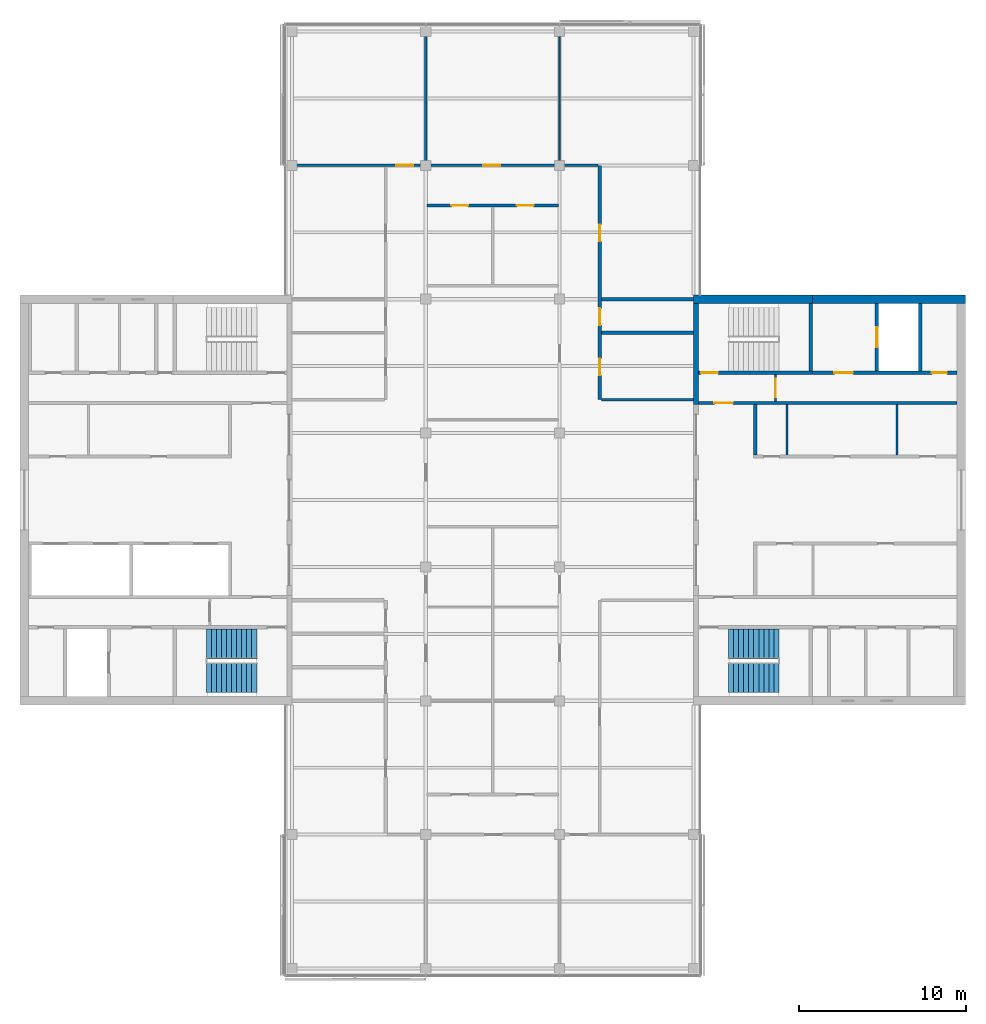
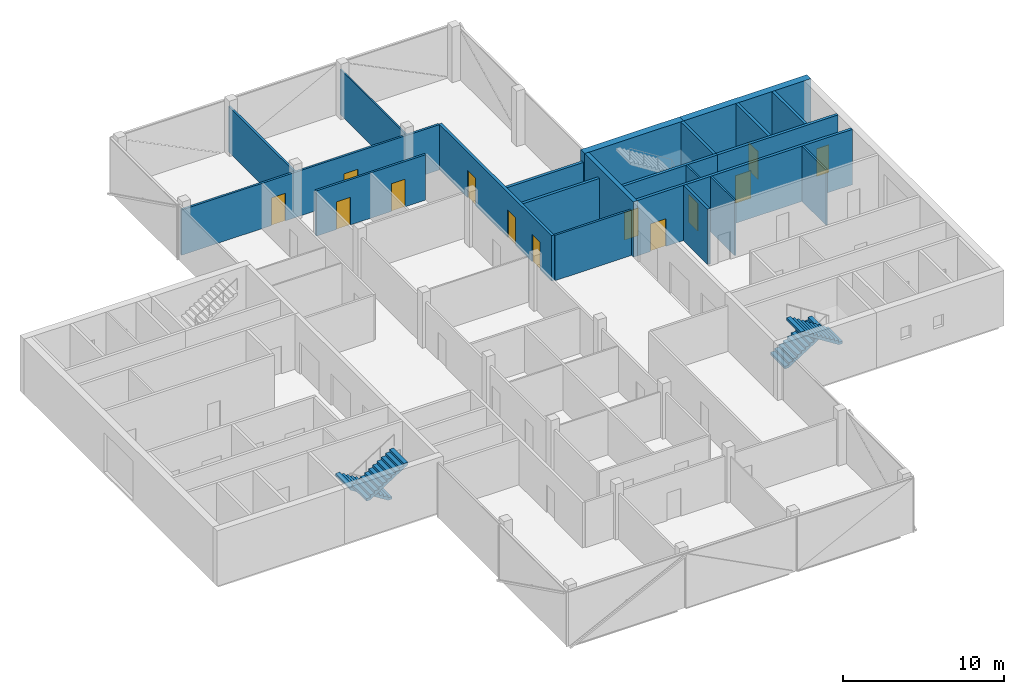
# One storey, part 12 of 16: 21 walls, 13 doors, 4 stair flights, 13 openings, 2 elements without a shape of their own.
"""IFC4 building model written with IfcOpenShell, lengths in metres."""

from ifc_helpers import new_model, si_unit, direction, frame, frame_2d, origin, place, context, subcontext, project, spatial, polyline, rectangle, outline, extrude, material, layer, layer_set, constituent, constituent_set, type_object, element, fill, aggregate, save


model = new_model("IFC4")

# Units and contexts
model_context = context("Model", 3, precision=1e-05, world=origin(), true_north=direction((0.0, 1.0)))
body_context = subcontext(model_context, "Body", "Model", "MODEL_VIEW")
ifc_project = project(units=[si_unit("LENGTHUNIT", "METRE"), si_unit("AREAUNIT", "SQUARE_METRE"), si_unit("VOLUMEUNIT", "CUBIC_METRE"), si_unit("PLANEANGLEUNIT", "RADIAN"), si_unit("MASSUNIT", "GRAM", prefix="KILO")], contexts=[model_context])

# Site, building, storey
site_placement = place(None, origin())
site = spatial("IfcSite", under=ifc_project, at=site_placement, CompositionType="ELEMENT")
building_placement = place(site_placement, origin())
building = spatial("IfcBuilding", under=site, at=building_placement, Name="Crosswind Convention Tower", CompositionType="ELEMENT")
storey_placement = place(building_placement, frame((0.0, 0.0, 340.699951171875)))
storey = spatial("IfcBuildingStorey", under=building, at=storey_placement, Name="L74", CompositionType="ELEMENT", Elevation=340.699951171875)

# Wall, openings, doors
ifc_material_1 = material(Name="Concrete blockwork", Category="masonry")
ifc_layer_1 = layer(ifc_material_1, 0.199951171875)
ifc_layer_set_1 = layer_set([ifc_layer_1], Name="COMPARTMENT WALL 200 BLOCKWORK")
wall_type_1 = type_object("IfcWallType", Name="COMPARTMENT WALL 200 BLOCKWORK", PredefinedType="SOLIDWALL", material=ifc_layer_set_1)
wall_1_placement = place(storey_placement, frame((131.39990234375, 106.0, 0.0), z_axis=(0.0, 0.0, 1.0), x_axis=(0.0, 1.0, 0.0)))
wall_1 = element("IfcWall", 1, at=wall_1_placement, inside=storey, type_object=wall_type_1, Name="Compartment wall WT42", PredefinedType="SOLIDWALL", context=body_context, shape_type="SweptSolid", body=[
    extrude(rectangle(XDim=14.0, YDim=0.199951171875, at=frame_2d((7.0, 0.0))), origin(), (0.0, 0.0, 1.0), 3.44287109375),
])
opening_1_placement = place(wall_1_placement, frame((1.449951171875, 0.0, 0.0)))
opening_1 = element("IfcOpeningElement", 2, at=opening_1_placement, cuts=wall_1, Name="Opening L74-50", PredefinedType="OPENING", context=body_context, shape_type="SweptSolid", body=[
    extrude(rectangle(XDim=1.0, YDim=2.10009765625, at=frame_2d((0.5, 1.050048828125))), frame((0.0, 0.10986328125, 0.0), z_axis=(0.0, -1.0, 0.0), x_axis=(1.0, 0.0, 0.0)), (0.0, 0.0, 1.0), 0.219970703125),
])
opening_2_placement = place(wall_1_placement, frame((4.449951171875, 0.0, 0.0)))
opening_2 = element("IfcOpeningElement", 3, at=opening_2_placement, cuts=wall_1, Name="Opening L74-51", PredefinedType="OPENING", context=body_context, shape_type="SweptSolid", body=[
    extrude(rectangle(XDim=1.0, YDim=2.10009765625, at=frame_2d((0.5, 1.050048828125))), frame((0.0, 0.10986328125, 0.0), z_axis=(0.0, -1.0, 0.0), x_axis=(1.0, 0.0, 0.0)), (0.0, 0.0, 1.0), 0.219970703125),
])
opening_3_placement = place(wall_1_placement, frame((9.449951171875, 0.0, 0.0)))
opening_3 = element("IfcOpeningElement", 4, at=opening_3_placement, cuts=wall_1, Name="Opening L74-52", PredefinedType="OPENING", context=body_context, shape_type="SweptSolid", body=[
    extrude(rectangle(XDim=1.0, YDim=2.10009765625, at=frame_2d((0.5, 1.050048828125))), frame((0.0, 0.10986328125, 0.0), z_axis=(0.0, -1.0, 0.0), x_axis=(1.0, 0.0, 0.0)), (0.0, 0.0, 1.0), 0.219970703125),
])
ifc_material_2 = material(Name="Steel fire door", Category="steel")
door_type_1 = type_object("IfcDoorType", Name="PLANT ROOM DOOR 1000X2100 FD60", OperationType="NOTDEFINED", PredefinedType="DOOR", material=ifc_material_2)
door_1_placement = place(opening_2_placement, frame((1.0, 0.0, 0.0), z_axis=(0.0, 0.0, 1.0), x_axis=(-1.0, 0.0, 0.0)))
door_1 = element("IfcDoor", 5, at=door_1_placement, inside=storey, type_object=door_type_1, Name="Door L74-51", ObjectType="D43", OperationType="SINGLE_SWING_RIGHT", OverallHeight=2.10009765625, OverallWidth=1.0, PredefinedType="DOOR", context=body_context, shape_type="SweptSolid", body=[
    extrude(rectangle(XDim=1.0, YDim=2.10009765625, at=frame_2d((0.5, 1.050048828125))), frame((0.0, 0.02490234375, 0.0), z_axis=(0.0, -1.0, 0.0), x_axis=(1.0, 0.0, 0.0)), (0.0, 0.0, 1.0), 0.050048828125),
])
fill(opening_2, door_1)
ifc_material_3 = material(Name="Timber fire door", Category="wood")
door_type_2 = type_object("IfcDoorType", Name="TENANCY ENTRANCE DOOR 1000X2100 FD30S", OperationType="NOTDEFINED", PredefinedType="DOOR", material=ifc_material_3)
door_2_placement = place(opening_1_placement, frame((1.0, 0.0, 0.0), z_axis=(0.0, 0.0, 1.0), x_axis=(-1.0, 0.0, 0.0)))
door_2 = element("IfcDoor", 6, at=door_2_placement, inside=storey, type_object=door_type_2, Name="Door L74-50", ObjectType="D41", OperationType="SINGLE_SWING_RIGHT", OverallHeight=2.10009765625, OverallWidth=1.0, PredefinedType="DOOR", context=body_context, shape_type="SweptSolid", body=[
    extrude(rectangle(XDim=1.0, YDim=2.10009765625, at=frame_2d((0.5, 1.050048828125))), frame((0.0, 0.02490234375, 0.0), z_axis=(0.0, -1.0, 0.0), x_axis=(1.0, 0.0, 0.0)), (0.0, 0.0, 1.0), 0.050048828125),
])
fill(opening_1, door_2)
door_3_placement = place(opening_3_placement, frame((1.0, 0.0, 0.0), z_axis=(0.0, 0.0, 1.0), x_axis=(-1.0, 0.0, 0.0)))
door_3 = element("IfcDoor", 7, at=door_3_placement, inside=storey, type_object=door_type_2, Name="Door L74-52", ObjectType="D41", OperationType="SINGLE_SWING_RIGHT", OverallHeight=2.10009765625, OverallWidth=1.0, PredefinedType="DOOR", context=body_context, shape_type="SweptSolid", body=[
    extrude(rectangle(XDim=1.0, YDim=2.10009765625, at=frame_2d((0.5, 1.050048828125))), frame((0.0, 0.02490234375, 0.0), z_axis=(0.0, -1.0, 0.0), x_axis=(1.0, 0.0, 0.0)), (0.0, 0.0, 1.0), 0.050048828125),
])
fill(opening_3, door_3)

# Walls
for number, where, z_axis, x_axis, name in (
    (8, (131.5, 110.0, 0.0), (0.0, 0.0, 1.0), (1.0, 0.0, 0.0), "Compartment wall WT42"),
    (9, (131.5, 112.0, 0.0), (0.0, 0.0, 1.0), (1.0, 0.0, 0.0), "Compartment wall WT42"),
):
    element("IfcWall", number, at=place(storey_placement, frame(where, z_axis=z_axis, x_axis=x_axis)), inside=storey, type_object=wall_type_1, Name=name, PredefinedType="SOLIDWALL", context=body_context, shape_type="SweptSolid", body=[
        extrude(rectangle(XDim=5.5, YDim=0.199951171875, at=frame_2d((2.75, 0.0))), origin(), (0.0, 0.0, 1.0), 3.44287109375),
    ])
ifc_material_4 = material(Name="Concrete C50/60", Category="concrete")
ifc_layer_2 = layer(ifc_material_4, 0.300048828125)
ifc_layer_set_2 = layer_set([ifc_layer_2], Name="Concrete C50/60")
wall_type_2 = type_object("IfcWallType", Name="Concrete inner core wall 300", PredefinedType="SHEAR", material=ifc_layer_set_2)
wall_2_placement = place(storey_placement, frame((137.14990234375, 105.699951171875, 0.0), z_axis=(0.0, 0.0, 1.0), x_axis=(0.0, 1.0, 0.0)))
element("IfcWall", 10, at=wall_2_placement, inside=storey, type_object=wall_type_2, Name="Wall EP E L74", PredefinedType="SHEAR", context=body_context, shape_type="SweptSolid", body=[
    extrude(rectangle(XDim=6.050048828125, YDim=0.300048828125, at=frame_2d((3.02490234375, 0.0))), origin(), (0.0, 0.0, 1.0), 4.199951171875),
])
ifc_layer_3 = layer(ifc_material_4, 0.199951171875)
ifc_layer_set_3 = layer_set([ifc_layer_3], Name="Concrete C50/60")
wall_type_3 = type_object("IfcWallType", Name="Concrete shaft and stair wall 200", PredefinedType="SHEAR", material=ifc_layer_set_3)
wall_3_placement = place(storey_placement, frame((140.699951171875, 102.699951171875, 0.0), z_axis=(0.0, 0.0, 1.0), x_axis=(0.0, 1.0, 0.0)))
element("IfcWall", 11, at=wall_3_placement, inside=storey, type_object=wall_type_3, Name="Wall RPEND E L74", PredefinedType="SHEAR", context=body_context, shape_type="SweptSolid", body=[
    extrude(rectangle(XDim=3.0, YDim=0.199951171875, at=frame_2d((1.5, 0.0))), origin(), (0.0, 0.0, 1.0), 4.199951171875),
])

# Wall, opening, door
wall_4_placement = place(storey_placement, frame((137.300048828125, 105.800048828125, 0.0), z_axis=(0.0, 0.0, 1.0), x_axis=(1.0, 0.0, 0.0)))
wall_4 = element("IfcWall", 12, at=wall_4_placement, inside=storey, type_object=wall_type_3, Name="Wall HP E L74", PredefinedType="SHEAR", context=body_context, shape_type="SweptSolid", body=[
    extrude(rectangle(XDim=15.449951171875, YDim=0.199951171875, at=frame_2d((7.72509765625, 0.0))), origin(), (0.0, 0.0, 1.0), 4.199951171875),
])
opening_4_placement = place(wall_4_placement, frame((0.949951171875, 0.0, 0.0)))
opening_4 = element("IfcOpeningElement", 13, at=opening_4_placement, cuts=wall_4, Name="Opening D104", PredefinedType="OPENING", context=body_context, shape_type="SweptSolid", body=[
    extrude(rectangle(XDim=1.10009765625, YDim=2.10009765625, at=frame_2d((0.550048828125, 1.050048828125))), frame((0.0, 0.10986328125, 0.0), z_axis=(0.0, -1.0, 0.0), x_axis=(1.0, 0.0, 0.0)), (0.0, 0.0, 1.0), 0.219970703125),
])
door_type_3 = type_object("IfcDoorType", Name="Fire-rated single door 1100x2100", OperationType="NOTDEFINED", PredefinedType="DOOR", material=ifc_material_2)
door_4_placement = place(opening_4_placement, origin())
door_4 = element("IfcDoor", 14, at=door_4_placement, inside=storey, type_object=door_type_3, Name="Corridor door L74", ObjectType="D104", OperationType="SINGLE_SWING_LEFT", OverallHeight=2.10009765625, OverallWidth=1.10009765625, PredefinedType="DOOR", context=body_context, shape_type="SweptSolid", body=[
    extrude(rectangle(XDim=1.10009765625, YDim=2.10009765625, at=frame_2d((0.550048828125, 1.050048828125))), frame((0.0, 0.02490234375, 0.0), z_axis=(0.0, -1.0, 0.0), x_axis=(1.0, 0.0, 0.0)), (0.0, 0.0, 1.0), 0.050048828125),
])
fill(opening_4, door_4)

# Wall
wall_5_placement = place(storey_placement, frame((144.0, 107.699951171875, 0.0), z_axis=(0.0, 0.0, 1.0), x_axis=(0.0, 1.0, 0.0)))
element("IfcWall", 15, at=wall_5_placement, inside=storey, type_object=wall_type_3, Name="Wall PSE E L74", PredefinedType="SHEAR", context=body_context, shape_type="SweptSolid", body=[
    extrude(rectangle(XDim=4.050048828125, YDim=0.199951171875, at=frame_2d((2.02490234375, 0.0))), origin(), (0.0, 0.0, 1.0), 4.199951171875),
])

# Wall, opening, door
wall_6_placement = place(storey_placement, frame((147.949951171875, 107.699951171875, 0.0), z_axis=(0.0, 0.0, 1.0), x_axis=(0.0, 1.0, 0.0)))
wall_6 = element("IfcWall", 16, at=wall_6_placement, inside=storey, type_object=wall_type_3, Name="Wall PFLW E L74", PredefinedType="SHEAR", context=body_context, shape_type="SweptSolid", body=[
    extrude(rectangle(XDim=4.050048828125, YDim=0.199951171875, at=frame_2d((2.02490234375, 0.0))), origin(), (0.0, 0.0, 1.0), 4.199951171875),
])
opening_5_placement = place(wall_6_placement, frame((1.425048828125, 0.0, 0.0)))
opening_5 = element("IfcOpeningElement", 17, at=opening_5_placement, cuts=wall_6, Name="Opening LD1", PredefinedType="OPENING", context=body_context, shape_type="SweptSolid", body=[
    extrude(rectangle(XDim=1.199951171875, YDim=2.10009765625, at=frame_2d((0.60009765625, 1.050048828125))), frame((0.0, 0.10986328125, 0.0), z_axis=(0.0, -1.0, 0.0), x_axis=(1.0, 0.0, 0.0)), (0.0, 0.0, 1.0), 0.219970703125),
])
ifc_material_5 = material(Name="Stainless steel", Category="steel")
door_type_4 = type_object("IfcDoorType", Name="Lift landing door 1200x2100", OperationType="DOUBLE_DOOR_SLIDING", PredefinedType="DOOR", material=ifc_material_5)
door_5_placement = place(opening_5_placement, origin())
door_5 = element("IfcDoor", 18, at=door_5_placement, inside=storey, type_object=door_type_4, Name="Landing door FF1 L74", ObjectType="LD1", OperationType="DOUBLE_DOOR_SLIDING", OverallHeight=2.10009765625, OverallWidth=1.199951171875, PredefinedType="DOOR", context=body_context, shape_type="SweptSolid", body=[
    extrude(rectangle(XDim=1.199951171875, YDim=2.10009765625, at=frame_2d((0.60009765625, 1.050048828125))), frame((0.0, 0.02490234375, 0.0), z_axis=(0.0, -1.0, 0.0), x_axis=(1.0, 0.0, 0.0)), (0.0, 0.0, 1.0), 0.050048828125),
])
fill(opening_5, door_5)

# Wall
wall_7_placement = place(storey_placement, frame((150.550048828125, 107.699951171875, 0.0), z_axis=(0.0, 0.0, 1.0), x_axis=(0.0, 1.0, 0.0)))
element("IfcWall", 19, at=wall_7_placement, inside=storey, type_object=wall_type_3, Name="Wall PFSE E L74", PredefinedType="SHEAR", context=body_context, shape_type="SweptSolid", body=[
    extrude(rectangle(XDim=4.050048828125, YDim=0.199951171875, at=frame_2d((2.02490234375, 0.0))), origin(), (0.0, 0.0, 1.0), 4.199951171875),
])

# Wall, opening, door
wall_8_placement = place(storey_placement, frame((137.300048828125, 107.60009765625, 0.0), z_axis=(0.0, 0.0, 1.0), x_axis=(1.0, 0.0, 0.0)))
wall_8 = element("IfcWall", 20, at=wall_8_placement, inside=storey, type_object=wall_type_3, Name="Wall PCW E L74", PredefinedType="SHEAR", context=body_context, shape_type="SweptSolid", body=[
    extrude(rectangle(XDim=6.800048828125, YDim=0.199951171875, at=frame_2d((3.39990234375, 0.0))), origin(), (0.0, 0.0, 1.0), 4.199951171875),
])
opening_6_placement = place(wall_8_placement, frame((0.14990234375, 0.0, 0.0)))
opening_6 = element("IfcOpeningElement", 21, at=opening_6_placement, cuts=wall_8, Name="Opening D103", PredefinedType="OPENING", context=body_context, shape_type="SweptSolid", body=[
    extrude(rectangle(XDim=1.0, YDim=2.10009765625, at=frame_2d((0.5, 1.050048828125))), frame((0.0, 0.10986328125, 0.0), z_axis=(0.0, -1.0, 0.0), x_axis=(1.0, 0.0, 0.0)), (0.0, 0.0, 1.0), 0.219970703125),
])
door_type_5 = type_object("IfcDoorType", Name="Fire-rated single door 1000x2100", OperationType="NOTDEFINED", PredefinedType="DOOR", material=ifc_material_2)
door_6_placement = place(opening_6_placement, origin())
door_6 = element("IfcDoor", 22, at=door_6_placement, inside=storey, type_object=door_type_5, Name="Stair ST1 door L74", ObjectType="D103", OperationType="SINGLE_SWING_LEFT", OverallHeight=2.10009765625, OverallWidth=1.0, PredefinedType="DOOR", context=body_context, shape_type="SweptSolid", body=[
    extrude(rectangle(XDim=1.0, YDim=2.10009765625, at=frame_2d((0.5, 1.050048828125))), frame((0.0, 0.02490234375, 0.0), z_axis=(0.0, -1.0, 0.0), x_axis=(1.0, 0.0, 0.0)), (0.0, 0.0, 1.0), 0.050048828125),
])
fill(opening_6, door_6)

# Wall, openings, doors
wall_9_placement = place(storey_placement, frame((144.10009765625, 107.60009765625, 0.0), z_axis=(0.0, 0.0, 1.0), x_axis=(1.0, 0.0, 0.0)))
wall_9 = element("IfcWall", 23, at=wall_9_placement, inside=storey, type_object=wall_type_3, Name="Wall PCX E L74", PredefinedType="SHEAR", context=body_context, shape_type="SweptSolid", body=[
    extrude(rectangle(XDim=8.64990234375, YDim=0.199951171875, at=frame_2d((4.324951171875, 0.0))), origin(), (0.0, 0.0, 1.0), 4.199951171875),
])
opening_7_placement = place(wall_9_placement, frame((1.324951171875, 0.0, 0.0)))
opening_7 = element("IfcOpeningElement", 24, at=opening_7_placement, cuts=wall_9, Name="Opening D104", PredefinedType="OPENING", context=body_context, shape_type="SweptSolid", body=[
    extrude(rectangle(XDim=1.10009765625, YDim=2.10009765625, at=frame_2d((0.550048828125, 1.050048828125))), frame((0.0, 0.10986328125, 0.0), z_axis=(0.0, -1.0, 0.0), x_axis=(1.0, 0.0, 0.0)), (0.0, 0.0, 1.0), 0.219970703125),
])
opening_8_placement = place(wall_9_placement, frame((7.14990234375, 0.0, 0.0)))
opening_8 = element("IfcOpeningElement", 25, at=opening_8_placement, cuts=wall_9, Name="Opening D106", PredefinedType="OPENING", context=body_context, shape_type="SweptSolid", body=[
    extrude(rectangle(XDim=0.89990234375, YDim=2.10009765625, at=frame_2d((0.449951171875, 1.050048828125))), frame((0.0, 0.10986328125, 0.0), z_axis=(0.0, -1.0, 0.0), x_axis=(1.0, 0.0, 0.0)), (0.0, 0.0, 1.0), 0.219970703125),
])
door_7_placement = place(opening_7_placement, origin())
door_7 = element("IfcDoor", 26, at=door_7_placement, inside=storey, type_object=door_type_3, Name="Fire-fighting lobby FF1 door L74", ObjectType="D104", OperationType="SINGLE_SWING_RIGHT", OverallHeight=2.10009765625, OverallWidth=1.10009765625, PredefinedType="DOOR", context=body_context, shape_type="SweptSolid", body=[
    extrude(rectangle(XDim=1.10009765625, YDim=2.10009765625, at=frame_2d((0.550048828125, 1.050048828125))), frame((0.0, 0.02490234375, 0.0), z_axis=(0.0, -1.0, 0.0), x_axis=(1.0, 0.0, 0.0)), (0.0, 0.0, 1.0), 0.050048828125),
])
fill(opening_7, door_7)
ifc_material_6 = material(Name="Timber door", Category="wood")
door_type_6 = type_object("IfcDoorType", Name="Single leaf door 900x2100", OperationType="NOTDEFINED", PredefinedType="DOOR", material=ifc_material_6)
door_8_placement = place(opening_8_placement, origin())
door_8 = element("IfcDoor", 27, at=door_8_placement, inside=storey, type_object=door_type_6, Name="Door to cleaners' store L74", ObjectType="D106", OperationType="SINGLE_SWING_RIGHT", OverallHeight=2.10009765625, OverallWidth=0.89990234375, PredefinedType="DOOR", context=body_context, shape_type="SweptSolid", body=[
    extrude(rectangle(XDim=0.89990234375, YDim=2.10009765625, at=frame_2d((0.449951171875, 1.050048828125))), frame((0.0, 0.02490234375, 0.0), z_axis=(0.0, -1.0, 0.0), x_axis=(1.0, 0.0, 0.0)), (0.0, 0.0, 1.0), 0.050048828125),
])
fill(opening_8, door_8)

# Walls
ifc_material_7 = material(Name="Gypsum plasterboard partition", Category="gypsum")
ifc_layer_4 = layer(ifc_material_7, 0.125)
ifc_layer_set_4 = layer_set([ifc_layer_4], Name="Drywall partition wall 125")
wall_type_4 = type_object("IfcWallType", Name="Drywall partition wall 125", PredefinedType="PARTITIONING", material=ifc_layer_set_4)
for number, where, z_axis, x_axis, name in (
    (28, (142.592529296875, 102.699951171875, 0.0), (0.0, 0.0, 1.0), (0.0, 1.0, 0.0), "Wall RPP1 E L74"),
    (29, (149.1650390625, 102.699951171875, 0.0), (0.0, 0.0, 1.0), (0.0, 1.0, 0.0), "Wall RPP2 E L74"),
):
    element("IfcWall", number, at=place(storey_placement, frame(where, z_axis=z_axis, x_axis=x_axis)), inside=storey, type_object=wall_type_4, Name=name, PredefinedType="PARTITIONING", context=body_context, shape_type="SweptSolid", body=[
        extrude(rectangle(XDim=3.0, YDim=0.125, at=frame_2d((1.5, 0.0))), origin(), (0.0, 0.0, 1.0), 4.199951171875),
    ])

# Wall, opening, door
wall_10_placement = place(storey_placement, frame((141.89990234375, 105.89990234375, 0.0), z_axis=(0.0, 0.0, 1.0), x_axis=(0.0, 1.0, 0.0)))
wall_10 = element("IfcWall", 30, at=wall_10_placement, inside=storey, type_object=wall_type_4, Name="Wall PXC1 E L74", PredefinedType="PARTITIONING", context=body_context, shape_type="SweptSolid", body=[
    extrude(rectangle(XDim=1.60009765625, YDim=0.125, at=frame_2d((0.800048828125, 0.0))), origin(), (0.0, 0.0, 1.0), 4.199951171875),
])
opening_9_placement = place(wall_10_placement, frame((0.25, 0.0, 0.0)))
opening_9 = element("IfcOpeningElement", 31, at=opening_9_placement, cuts=wall_10, Name="Opening D104", PredefinedType="OPENING", context=body_context, shape_type="SweptSolid", body=[
    extrude(rectangle(XDim=1.10009765625, YDim=2.10009765625, at=frame_2d((0.550048828125, 1.050048828125))), frame((0.0, 0.072509765625, 0.0), z_axis=(0.0, -1.0, 0.0), x_axis=(1.0, 0.0, 0.0)), (0.0, 0.0, 1.0), 0.14501953125),
])
door_9_placement = place(opening_9_placement, origin())
door_9 = element("IfcDoor", 32, at=door_9_placement, inside=storey, type_object=door_type_3, Name="Corridor smoke door L74", ObjectType="D104", OperationType="SINGLE_SWING_RIGHT", OverallHeight=2.10009765625, OverallWidth=1.10009765625, PredefinedType="DOOR", context=body_context, shape_type="SweptSolid", body=[
    extrude(rectangle(XDim=1.10009765625, YDim=2.10009765625, at=frame_2d((0.550048828125, 1.050048828125))), frame((0.0, 0.02490234375, 0.0), z_axis=(0.0, -1.0, 0.0), x_axis=(1.0, 0.0, 0.0)), (0.0, 0.0, 1.0), 0.050048828125),
])
fill(opening_9, door_9)

# Walls
ifc_material_8 = material(Name="Plasterboard partition", Category="gypsum")
ifc_layer_5 = layer(ifc_material_8, 0.10009765625)
ifc_layer_set_5 = layer_set([ifc_layer_5], Name="PARTITION 100 METAL STUD")
wall_type_5 = type_object("IfcWallType", Name="PARTITION 100 METAL STUD", PredefinedType="PARTITIONING", material=ifc_layer_set_5)
wall_11_placement = place(storey_placement, frame((129.0, 120.074951171875, 0.0), z_axis=(0.0, 0.0, 1.0), x_axis=(0.0, 1.0, 0.0)))
element("IfcWall", 33, at=wall_11_placement, inside=storey, type_object=wall_type_5, Name="Partition wall WT40", PredefinedType="PARTITIONING", context=body_context, shape_type="SweptSolid", body=[
    extrude(rectangle(XDim=8.14501953125, YDim=0.10009765625, at=frame_2d((4.072509765625, 0.0))), origin(), (0.0, 0.0, 1.0), 3.44287109375),
])
ifc_material_9 = material(Name="Fire-board partition with mineral wool", Category="gypsum")
ifc_layer_6 = layer(ifc_material_9, 0.14990234375)
ifc_layer_set_6 = layer_set([ifc_layer_6], Name="TENANCY WALL 150 TWO-HOUR BOARD")
wall_type_6 = type_object("IfcWallType", Name="TENANCY WALL 150 TWO-HOUR BOARD", PredefinedType="PARTITIONING", material=ifc_layer_set_6)
wall_12_placement = place(storey_placement, frame((121.0, 120.074951171875, 0.0), z_axis=(0.0, 0.0, 1.0), x_axis=(0.0, 1.0, 0.0)))
element("IfcWall", 34, at=wall_12_placement, inside=storey, type_object=wall_type_6, Name="Tenancy wall WT41", PredefinedType="PARTITIONING", context=body_context, shape_type="SweptSolid", body=[
    extrude(rectangle(XDim=8.14501953125, YDim=0.14990234375, at=frame_2d((4.072509765625, 0.0))), origin(), (0.0, 0.0, 1.0), 3.44287109375),
])
wall_13_placement = place(storey_placement, frame((131.5, 106.0, 0.0), z_axis=(0.0, 0.0, 1.0), x_axis=(1.0, 0.0, 0.0)))
element("IfcWall", 35, at=wall_13_placement, inside=storey, type_object=wall_type_6, Name="Tenancy wall WT41", PredefinedType="PARTITIONING", context=body_context, shape_type="SweptSolid", body=[
    extrude(rectangle(XDim=5.5, YDim=0.14990234375, at=frame_2d((2.75, 0.0))), origin(), (0.0, 0.0, 1.0), 3.44287109375),
])

# Wall, openings, doors
wall_14_placement = place(storey_placement, frame((121.074951171875, 117.60009765625, 0.0), z_axis=(0.0, 0.0, 1.0), x_axis=(1.0, 0.0, 0.0)))
wall_14 = element("IfcWall", 36, at=wall_14_placement, inside=storey, type_object=wall_type_6, Name="Tenancy wall WT41", PredefinedType="PARTITIONING", context=body_context, shape_type="SweptSolid", body=[
    extrude(rectangle(XDim=7.85009765625, YDim=0.14990234375, at=frame_2d((3.925048828125, 0.0))), origin(), (0.0, 0.0, 1.0), 3.44287109375),
])
opening_10_placement = place(wall_14_placement, frame((1.449951171875, 0.0, 0.0)))
opening_10 = element("IfcOpeningElement", 37, at=opening_10_placement, cuts=wall_14, Name="Opening L74-73", PredefinedType="OPENING", context=body_context, shape_type="SweptSolid", body=[
    extrude(rectangle(XDim=1.0, YDim=2.10009765625, at=frame_2d((0.5, 1.050048828125))), frame((0.0, 0.0849609375, 0.0), z_axis=(0.0, -1.0, 0.0), x_axis=(1.0, 0.0, 0.0)), (0.0, 0.0, 1.0), 0.169921875),
])
opening_11_placement = place(wall_14_placement, frame((5.375, 0.0, 0.0)))
opening_11 = element("IfcOpeningElement", 38, at=opening_11_placement, cuts=wall_14, Name="Opening L74-74", PredefinedType="OPENING", context=body_context, shape_type="SweptSolid", body=[
    extrude(rectangle(XDim=1.0, YDim=2.10009765625, at=frame_2d((0.5, 1.050048828125))), frame((0.0, 0.0849609375, 0.0), z_axis=(0.0, -1.0, 0.0), x_axis=(1.0, 0.0, 0.0)), (0.0, 0.0, 1.0), 0.169921875),
])
door_10_placement = place(opening_10_placement, frame((1.0, 0.0, 0.0), z_axis=(0.0, 0.0, 1.0), x_axis=(-1.0, 0.0, 0.0)))
door_10 = element("IfcDoor", 39, at=door_10_placement, inside=storey, type_object=door_type_2, Name="Door L74-73", ObjectType="D41", OperationType="SINGLE_SWING_LEFT", OverallHeight=2.10009765625, OverallWidth=1.0, PredefinedType="DOOR", context=body_context, shape_type="SweptSolid", body=[
    extrude(rectangle(XDim=1.0, YDim=2.10009765625, at=frame_2d((0.5, 1.050048828125))), frame((0.0, 0.02490234375, 0.0), z_axis=(0.0, -1.0, 0.0), x_axis=(1.0, 0.0, 0.0)), (0.0, 0.0, 1.0), 0.050048828125),
])
fill(opening_10, door_10)
door_11_placement = place(opening_11_placement, frame((1.0, 0.0, 0.0), z_axis=(0.0, 0.0, 1.0), x_axis=(-1.0, 0.0, 0.0)))
door_11 = element("IfcDoor", 40, at=door_11_placement, inside=storey, type_object=door_type_2, Name="Door L74-74", ObjectType="D41", OperationType="SINGLE_SWING_RIGHT", OverallHeight=2.10009765625, OverallWidth=1.0, PredefinedType="DOOR", context=body_context, shape_type="SweptSolid", body=[
    extrude(rectangle(XDim=1.0, YDim=2.10009765625, at=frame_2d((0.5, 1.050048828125))), frame((0.0, 0.02490234375, 0.0), z_axis=(0.0, -1.0, 0.0), x_axis=(1.0, 0.0, 0.0)), (0.0, 0.0, 1.0), 0.050048828125),
])
fill(opening_11, door_11)

wall_15_placement = place(storey_placement, frame((112.780029296875, 120.0, 0.0), z_axis=(0.0, 0.0, 1.0), x_axis=(1.0, 0.0, 0.0)))
wall_15 = element("IfcWall", 41, at=wall_15_placement, inside=storey, type_object=wall_type_6, Name="Tenancy wall WT41", PredefinedType="PARTITIONING", context=body_context, shape_type="SweptSolid", body=[
    extrude(rectangle(XDim=18.52001953125, YDim=0.14990234375, at=frame_2d((9.260009765625, 0.0))), origin(), (0.0, 0.0, 1.0), 3.44287109375),
])
opening_12_placement = place(wall_15_placement, frame((6.469970703125, 0.0, 0.0)))
opening_12 = element("IfcOpeningElement", 42, at=opening_12_placement, cuts=wall_15, Name="Opening L74-61", PredefinedType="OPENING", context=body_context, shape_type="SweptSolid", body=[
    extrude(rectangle(XDim=1.0, YDim=2.10009765625, at=frame_2d((0.5, 1.050048828125))), frame((0.0, 0.0849609375, 0.0), z_axis=(0.0, -1.0, 0.0), x_axis=(1.0, 0.0, 0.0)), (0.0, 0.0, 1.0), 0.169921875),
])
opening_13_placement = place(wall_15_placement, frame((11.669921875, 0.0, 0.0)))
opening_13 = element("IfcOpeningElement", 43, at=opening_13_placement, cuts=wall_15, Name="Opening L74-62", PredefinedType="OPENING", context=body_context, shape_type="SweptSolid", body=[
    extrude(rectangle(XDim=1.0, YDim=2.10009765625, at=frame_2d((0.5, 1.050048828125))), frame((0.0, 0.0849609375, 0.0), z_axis=(0.0, -1.0, 0.0), x_axis=(1.0, 0.0, 0.0)), (0.0, 0.0, 1.0), 0.169921875),
])
door_12_placement = place(opening_12_placement, origin())
door_12 = element("IfcDoor", 44, at=door_12_placement, inside=storey, type_object=door_type_2, Name="Door L74-61", ObjectType="D41", OperationType="SINGLE_SWING_RIGHT", OverallHeight=2.10009765625, OverallWidth=1.0, PredefinedType="DOOR", context=body_context, shape_type="SweptSolid", body=[
    extrude(rectangle(XDim=1.0, YDim=2.10009765625, at=frame_2d((0.5, 1.050048828125))), frame((0.0, 0.02490234375, 0.0), z_axis=(0.0, -1.0, 0.0), x_axis=(1.0, 0.0, 0.0)), (0.0, 0.0, 1.0), 0.050048828125),
])
fill(opening_12, door_12)
door_13_placement = place(opening_13_placement, origin())
door_13 = element("IfcDoor", 45, at=door_13_placement, inside=storey, type_object=door_type_2, Name="Door L74-62", ObjectType="D41", OperationType="SINGLE_SWING_LEFT", OverallHeight=2.10009765625, OverallWidth=1.0, PredefinedType="DOOR", context=body_context, shape_type="SweptSolid", body=[
    extrude(rectangle(XDim=1.0, YDim=2.10009765625, at=frame_2d((0.5, 1.050048828125))), frame((0.0, 0.02490234375, 0.0), z_axis=(0.0, -1.0, 0.0), x_axis=(1.0, 0.0, 0.0)), (0.0, 0.0, 1.0), 0.050048828125),
])
fill(opening_13, door_13)

# Walls
ifc_material_10 = material(Name="Concrete C60/75", Category="concrete")
ifc_constituent_1 = constituent(ifc_material_10, Name="Structure")
ifc_material_11 = material(Name="Terracotta rainscreen", Category="ceramic")
ifc_constituent_2 = constituent(ifc_material_11, Name="Facing")
ifc_constituent_set = constituent_set(constituents=[ifc_constituent_1, ifc_constituent_2], Name="Concrete C60/75, Terracotta rainscreen")
wall_type_7 = type_object("IfcWallType", Name="Terracotta rainscreen on concrete core wall 500", PredefinedType="SHEAR", material=ifc_constituent_set)
wall_16_placement = place(storey_placement, frame((137.0, 112.0, 0.0), z_axis=(0.0, 0.0, 1.0), x_axis=(1.0, 0.0, 0.0)))
element("IfcWall", 46, at=wall_16_placement, inside=storey, type_object=wall_type_7, Name="Wall N1 E L74", PredefinedType="SHEAR", context=body_context, shape_type="SweptSolid", body=[
    extrude(rectangle(XDim=7.10009765625, YDim=0.5, at=frame_2d((3.550048828125, 0.0))), origin(), (0.0, 0.0, 1.0), 4.199951171875),
])
wall_17_placement = place(storey_placement, frame((144.10009765625, 112.0, 0.0), z_axis=(0.0, 0.0, 1.0), x_axis=(1.0, 0.0, 0.0)))
element("IfcWall", 47, at=wall_17_placement, inside=storey, type_object=wall_type_7, Name="Wall N2 E L74", PredefinedType="SHEAR", context=body_context, shape_type="SweptSolid", body=[
    extrude(rectangle(XDim=9.14990234375, YDim=0.5, at=frame_2d((4.574951171875, 0.0))), origin(), (0.0, 0.0, 1.0), 4.199951171875),
])

# Stair, stair flights
ifc_material_12 = material(Name="Concrete C40/50", Category="concrete")
stair_type = type_object("IfcStairType", Name="Exit stair 1800 wide, 2 flights of 11 risers", PredefinedType="HALF_TURN_STAIR", material=ifc_material_12)
stair_1_placement = place(storey_placement, origin())
stair_1 = element("IfcStair", 48, at=stair_1_placement, inside=storey, type_object=stair_type, Name="Exit stair ST2 L74", ObjectType="ST5", PredefinedType="HALF_TURN_STAIR")
stair_flight_type = type_object("IfcStairFlightType", Name="Stair flight 1800 wide, 11 risers (SF4)", PredefinedType="STRAIGHT", material=ifc_material_12)
stair_flight_1_placement = place(storey_placement, frame((139.10009765625, 91.39990234375, 0.0), z_axis=(0.0, 0.0, 1.0), x_axis=(1.0, 0.0, 0.0)))
stair_flight_1 = element("IfcStairFlight", 49, at=stair_flight_1_placement, type_object=stair_flight_type, Name="ST2 flight 1", NumberOfRisers=11, NumberOfTreads=10, PredefinedType="STRAIGHT", RiserHeight=0.190909091, TreadLength=0.3, context=body_context, shape_type="SweptSolid", body=[
    extrude(outline(polyline([(0.0, 0.0), (0.0, 0.19091796875), (0.300048828125, 0.19091796875), (0.300048828125, 0.3818359375), (0.60009765625, 0.3818359375), (0.60009765625, 0.57275390625), (0.89990234375, 0.57275390625), (0.89990234375, 0.763671875), (1.199951171875, 0.763671875), (1.199951171875, 0.95458984375), (1.5, 0.95458984375), (1.5, 1.1455078125), (1.800048828125, 1.1455078125), (1.800048828125, 1.33642578125), (2.10009765625, 1.33642578125), (2.10009765625, 1.52734375), (2.39990234375, 1.52734375), (2.39990234375, 1.71826171875), (2.699951171875, 1.71826171875), (2.699951171875, 1.9091796875), (3.0, 1.9091796875), (3.0, 2.10009765625), (3.0, 1.7314453125), (0.279296875, 0.0), (0.0, 0.0)])), frame((0.0, 0.89990234375, 0.0), z_axis=(0.0, -1.0, 0.0), x_axis=(1.0, 0.0, 0.0)), (0.0, 0.0, 1.0), 1.800048828125),
])
stair_flight_2_placement = place(storey_placement, frame((142.10009765625, 89.39990234375, 2.10009765625), z_axis=(0.0, 0.0, 1.0), x_axis=(-1.0, 0.0, 0.0)))
stair_flight_2 = element("IfcStairFlight", 50, at=stair_flight_2_placement, type_object=stair_flight_type, Name="ST2 flight 2", NumberOfRisers=11, NumberOfTreads=10, PredefinedType="STRAIGHT", RiserHeight=0.190909091, TreadLength=0.3, context=body_context, shape_type="SweptSolid", body=[
    extrude(outline(polyline([(0.0, 0.0), (0.0, 0.19091796875), (0.300048828125, 0.19091796875), (0.300048828125, 0.3818359375), (0.60009765625, 0.3818359375), (0.60009765625, 0.57275390625), (0.89990234375, 0.57275390625), (0.89990234375, 0.763671875), (1.199951171875, 0.763671875), (1.199951171875, 0.95458984375), (1.5, 0.95458984375), (1.5, 1.1455078125), (1.800048828125, 1.1455078125), (1.800048828125, 1.33642578125), (2.10009765625, 1.33642578125), (2.10009765625, 1.52734375), (2.39990234375, 1.52734375), (2.39990234375, 1.71826171875), (2.699951171875, 1.71826171875), (2.699951171875, 1.9091796875), (3.0, 1.9091796875), (3.0, 2.10009765625), (3.0, 1.7314453125), (0.279296875, 0.0), (0.0, 0.0)])), frame((0.0, 0.89990234375, 0.0), z_axis=(0.0, -1.0, 0.0), x_axis=(1.0, 0.0, 0.0)), (0.0, 0.0, 1.0), 1.800048828125),
])
aggregate(stair_1, [stair_flight_1, stair_flight_2])

stair_2_placement = place(storey_placement, origin())
stair_2 = element("IfcStair", 51, at=stair_2_placement, inside=storey, type_object=stair_type, Name="Exit stair ST3 L74", ObjectType="ST5", PredefinedType="HALF_TURN_STAIR")
stair_flight_3_placement = place(storey_placement, frame((110.89990234375, 91.39990234375, 0.0), z_axis=(0.0, 0.0, 1.0), x_axis=(-1.0, 0.0, 0.0)))
stair_flight_3 = element("IfcStairFlight", 52, at=stair_flight_3_placement, type_object=stair_flight_type, Name="ST3 flight 1", NumberOfRisers=11, NumberOfTreads=10, PredefinedType="STRAIGHT", RiserHeight=0.190909091, TreadLength=0.3, context=body_context, shape_type="SweptSolid", body=[
    extrude(outline(polyline([(0.0, 0.0), (0.0, 0.19091796875), (0.300048828125, 0.19091796875), (0.300048828125, 0.3818359375), (0.60009765625, 0.3818359375), (0.60009765625, 0.57275390625), (0.89990234375, 0.57275390625), (0.89990234375, 0.763671875), (1.199951171875, 0.763671875), (1.199951171875, 0.95458984375), (1.5, 0.95458984375), (1.5, 1.1455078125), (1.800048828125, 1.1455078125), (1.800048828125, 1.33642578125), (2.10009765625, 1.33642578125), (2.10009765625, 1.52734375), (2.39990234375, 1.52734375), (2.39990234375, 1.71826171875), (2.699951171875, 1.71826171875), (2.699951171875, 1.9091796875), (3.0, 1.9091796875), (3.0, 2.10009765625), (3.0, 1.7314453125), (0.279296875, 0.0), (0.0, 0.0)])), frame((0.0, 0.89990234375, 0.0), z_axis=(0.0, -1.0, 0.0), x_axis=(1.0, 0.0, 0.0)), (0.0, 0.0, 1.0), 1.800048828125),
])
stair_flight_4_placement = place(storey_placement, frame((107.89990234375, 89.39990234375, 2.10009765625), z_axis=(0.0, 0.0, 1.0), x_axis=(1.0, 0.0, 0.0)))
stair_flight_4 = element("IfcStairFlight", 53, at=stair_flight_4_placement, type_object=stair_flight_type, Name="ST3 flight 2", NumberOfRisers=11, NumberOfTreads=10, PredefinedType="STRAIGHT", RiserHeight=0.190909091, TreadLength=0.3, context=body_context, shape_type="SweptSolid", body=[
    extrude(outline(polyline([(0.0, 0.0), (0.0, 0.19091796875), (0.300048828125, 0.19091796875), (0.300048828125, 0.3818359375), (0.60009765625, 0.3818359375), (0.60009765625, 0.57275390625), (0.89990234375, 0.57275390625), (0.89990234375, 0.763671875), (1.199951171875, 0.763671875), (1.199951171875, 0.95458984375), (1.5, 0.95458984375), (1.5, 1.1455078125), (1.800048828125, 1.1455078125), (1.800048828125, 1.33642578125), (2.10009765625, 1.33642578125), (2.10009765625, 1.52734375), (2.39990234375, 1.52734375), (2.39990234375, 1.71826171875), (2.699951171875, 1.71826171875), (2.699951171875, 1.9091796875), (3.0, 1.9091796875), (3.0, 2.10009765625), (3.0, 1.7314453125), (0.279296875, 0.0), (0.0, 0.0)])), frame((0.0, 0.89990234375, 0.0), z_axis=(0.0, -1.0, 0.0), x_axis=(1.0, 0.0, 0.0)), (0.0, 0.0, 1.0), 1.800048828125),
])
aggregate(stair_2, [stair_flight_3, stair_flight_4])

save(model, "model.ifc")
